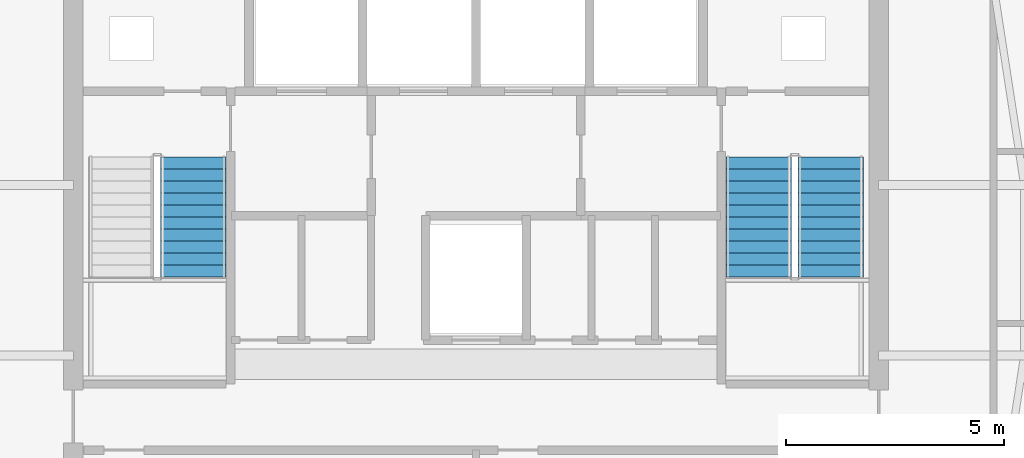
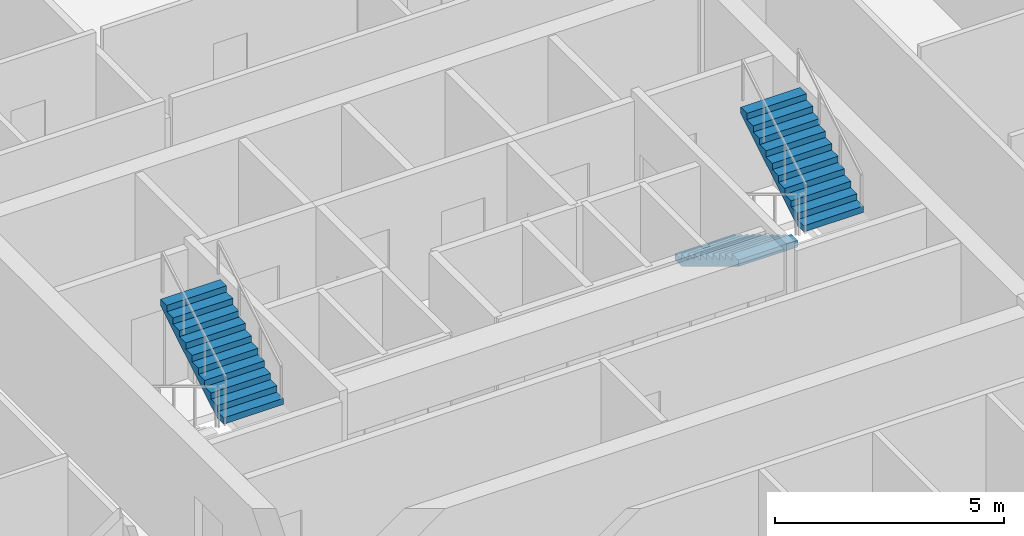
# One storey, part 8 of 11: 3 stair flights, 2 elements without a shape of their own.
"""IFC4 building model written with IfcOpenShell, lengths in metres."""

from ifc_helpers import new_model, si_unit, direction, frame, origin, place, context, subcontext, project, spatial, polyline, outline, extrude, material, type_object, element, aggregate, save


model = new_model("IFC4")

# Units and contexts
model_context = context("Model", 3, precision=1e-05, world=origin(), true_north=direction((0.0, 1.0)))
body_context = subcontext(model_context, "Body", "Model", "MODEL_VIEW")
ifc_project = project(units=[si_unit("LENGTHUNIT", "METRE"), si_unit("AREAUNIT", "SQUARE_METRE"), si_unit("VOLUMEUNIT", "CUBIC_METRE"), si_unit("PLANEANGLEUNIT", "RADIAN"), si_unit("MASSUNIT", "GRAM", prefix="KILO")], contexts=[model_context])

# Site, building, storey
site_placement = place(None, origin())
site = spatial("IfcSite", under=ifc_project, at=site_placement, CompositionType="ELEMENT")
building_placement = place(site_placement, origin())
building = spatial("IfcBuilding", under=site, at=building_placement, Name="Cinnabar Lancet Tower", CompositionType="ELEMENT")
storey_placement = place(building_placement, frame((0.0, 0.0, 230.64990234375)))
storey = spatial("IfcBuildingStorey", under=building, at=storey_placement, Name="L61", CompositionType="ELEMENT", Elevation=230.64990234375)

# Stair, stair flight
ifc_material_1 = material(Name="Concrete C40/50", Category="concrete")
stair_type = type_object("IfcStairType", Name="ST-CORE", PredefinedType="HALF_TURN_STAIR", material=ifc_material_1)
stair_1_placement = place(storey_placement, origin())
stair_1 = element("IfcStair", 1, at=stair_1_placement, inside=storey, type_object=stair_type, Name="L61 ST-1", PredefinedType="HALF_TURN_STAIR")
ifc_material_2 = material(Name="Concrete C40/50", Category="concrete")
stair_flight_type = type_object("IfcStairFlightType", Name="FLIGHT-CORE", PredefinedType="STRAIGHT", material=ifc_material_2)
stair_flight_1_placement = place(storey_placement, frame((25.925048828125, 25.64990234375, 1.8251953125), z_axis=(0.0, 0.0, 1.0), x_axis=(0.0, 1.0, 0.0)))
stair_flight_1 = element("IfcStairFlight", 2, at=stair_flight_1_placement, type_object=stair_flight_type, Name="ST-1 flight 2", NumberOfRisers=11, NumberOfTreads=10, PredefinedType="STRAIGHT", RiserHeight=0.165909091, TreadLength=0.275, context=body_context, shape_type="SweptSolid", body=[
    extrude(outline(polyline([(0.0, 0.0), (0.0, 0.166015625), (0.27490234375, 0.166015625), (0.27490234375, 0.331787109375), (0.550048828125, 0.331787109375), (0.550048828125, 0.497802734375), (0.824951171875, 0.497802734375), (0.824951171875, 0.66357421875), (1.10009765625, 0.66357421875), (1.10009765625, 0.82958984375), (1.375, 0.82958984375), (1.375, 0.995361328125), (1.64990234375, 0.995361328125), (1.64990234375, 1.161376953125), (1.925048828125, 1.161376953125), (1.925048828125, 1.327392578125), (2.199951171875, 1.327392578125), (2.199951171875, 1.4931640625), (2.47509765625, 1.4931640625), (2.47509765625, 1.6591796875), (2.75, 1.6591796875), (2.75, 1.824951171875), (2.75, 1.484130859375), (0.290283203125, 0.0), (0.0, 0.0)])), frame((0.0, 0.75, 0.0), z_axis=(0.0, -1.0, 0.0), x_axis=(1.0, 0.0, 0.0)), (0.0, 0.0, 1.0), 1.5),
])
aggregate(stair_1, [stair_flight_1])

# Stair, stair flights
stair_2_placement = place(storey_placement, origin())
stair_2 = element("IfcStair", 3, at=stair_2_placement, inside=storey, type_object=stair_type, Name="L61 ST-2", PredefinedType="HALF_TURN_STAIR")
stair_flight_2_placement = place(storey_placement, frame((38.875, 28.39990234375, 0.0), z_axis=(0.0, 0.0, 1.0), x_axis=(0.0, -1.0, 0.0)))
stair_flight_2 = element("IfcStairFlight", 4, at=stair_flight_2_placement, type_object=stair_flight_type, Name="ST-2 flight 1", NumberOfRisers=11, NumberOfTreads=10, PredefinedType="STRAIGHT", RiserHeight=0.165909091, TreadLength=0.275, context=body_context, shape_type="SweptSolid", body=[
    extrude(outline(polyline([(0.0, 0.0), (0.0, 0.166015625), (0.27490234375, 0.166015625), (0.27490234375, 0.331787109375), (0.550048828125, 0.331787109375), (0.550048828125, 0.497802734375), (0.824951171875, 0.497802734375), (0.824951171875, 0.66357421875), (1.10009765625, 0.66357421875), (1.10009765625, 0.82958984375), (1.375, 0.82958984375), (1.375, 0.995361328125), (1.64990234375, 0.995361328125), (1.64990234375, 1.161376953125), (1.925048828125, 1.161376953125), (1.925048828125, 1.327392578125), (2.199951171875, 1.327392578125), (2.199951171875, 1.4931640625), (2.47509765625, 1.4931640625), (2.47509765625, 1.6591796875), (2.75, 1.6591796875), (2.75, 1.824951171875), (2.75, 1.484130859375), (0.290283203125, 0.0), (0.0, 0.0)])), frame((0.0, 0.75, 0.0), z_axis=(0.0, -1.0, 0.0), x_axis=(1.0, 0.0, 0.0)), (0.0, 0.0, 1.0), 1.5),
])
stair_flight_3_placement = place(storey_placement, frame((40.52490234375, 25.64990234375, 1.8251953125), z_axis=(0.0, 0.0, 1.0), x_axis=(0.0, 1.0, 0.0)))
stair_flight_3 = element("IfcStairFlight", 5, at=stair_flight_3_placement, type_object=stair_flight_type, Name="ST-2 flight 2", NumberOfRisers=11, NumberOfTreads=10, PredefinedType="STRAIGHT", RiserHeight=0.165909091, TreadLength=0.275, context=body_context, shape_type="SweptSolid", body=[
    extrude(outline(polyline([(0.0, 0.0), (0.0, 0.166015625), (0.27490234375, 0.166015625), (0.27490234375, 0.331787109375), (0.550048828125, 0.331787109375), (0.550048828125, 0.497802734375), (0.824951171875, 0.497802734375), (0.824951171875, 0.66357421875), (1.10009765625, 0.66357421875), (1.10009765625, 0.82958984375), (1.375, 0.82958984375), (1.375, 0.995361328125), (1.64990234375, 0.995361328125), (1.64990234375, 1.161376953125), (1.925048828125, 1.161376953125), (1.925048828125, 1.327392578125), (2.199951171875, 1.327392578125), (2.199951171875, 1.4931640625), (2.47509765625, 1.4931640625), (2.47509765625, 1.6591796875), (2.75, 1.6591796875), (2.75, 1.824951171875), (2.75, 1.484130859375), (0.290283203125, 0.0), (0.0, 0.0)])), frame((0.0, 0.75, 0.0), z_axis=(0.0, -1.0, 0.0), x_axis=(1.0, 0.0, 0.0)), (0.0, 0.0, 1.0), 1.5),
])
aggregate(stair_2, [stair_flight_2, stair_flight_3])

save(model, "model.ifc")
